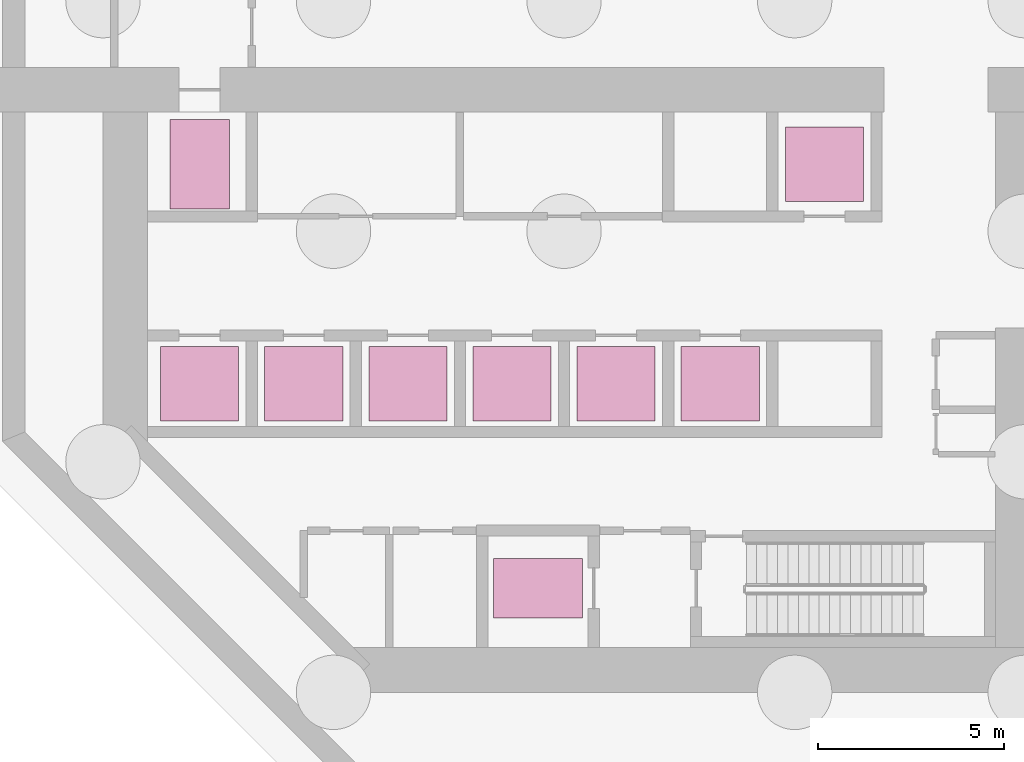
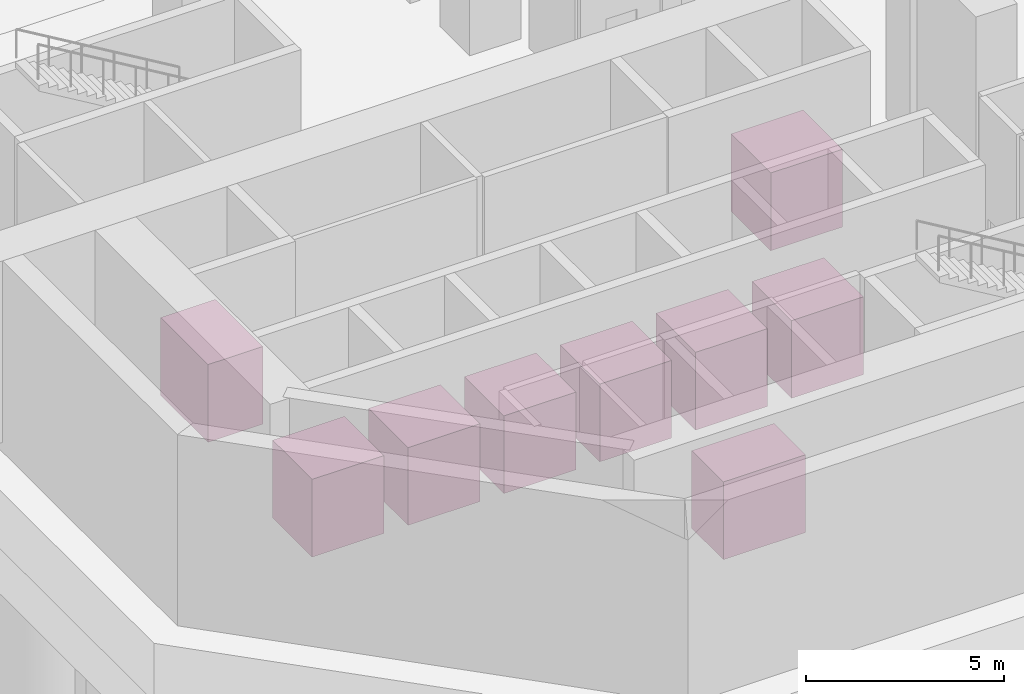
# One storey, part 6 of 6: 9 transport elements.
"""IFC4 building model written with IfcOpenShell, lengths in metres."""

from ifc_helpers import new_model, si_unit, direction, frame, origin, origin_2d, place, context, subcontext, project, spatial, rectangle, extrude, material, type_object, element, save


model = new_model("IFC4")

# Units and contexts
model_context = context("Model", 3, precision=1e-05, world=origin(), true_north=direction((0.0, 1.0)))
body_context = subcontext(model_context, "Body", "Model", "MODEL_VIEW")
ifc_project = project(units=[si_unit("LENGTHUNIT", "METRE"), si_unit("AREAUNIT", "SQUARE_METRE"), si_unit("VOLUMEUNIT", "CUBIC_METRE"), si_unit("PLANEANGLEUNIT", "RADIAN"), si_unit("MASSUNIT", "GRAM", prefix="KILO")], contexts=[model_context])

# Site, building, storey
site_placement = place(None, origin())
site = spatial("IfcSite", under=ifc_project, at=site_placement, CompositionType="ELEMENT")
building_placement = place(site_placement, origin())
building = spatial("IfcBuilding", under=site, at=building_placement, Name="Brevane Broadcast Tower", CompositionType="ELEMENT")
storey_placement = place(building_placement, frame((0.0, 0.0, -6.0)))
storey = spatial("IfcBuildingStorey", under=building, at=storey_placement, Name="B1", CompositionType="ELEMENT", Elevation=-6.0)

# Transport elements
ifc_material = material(Name="Stainless steel", Category="steel")
transport_element_type_1 = type_object("IfcTransportElementType", Name="Fire-fighting lift car", PredefinedType="ELEVATOR", material=ifc_material)
transport_element_1_placement = place(storey_placement, frame((2.60009765625, 14.199951171875, 0.0), z_axis=(0.0, 0.0, 1.0), x_axis=(1.0, 0.0, 0.0)))
element("IfcTransportElement", 1, at=transport_element_1_placement, inside=storey, type_object=transport_element_type_1, Name="Fire-fighting lift FF1", PredefinedType="ELEVATOR", context=body_context, shape_type="SweptSolid", body=[
    extrude(rectangle(XDim=1.60009765625, YDim=2.39990234375, at=origin_2d()), origin(), (0.0, 0.0, 1.0), 2.39990234375),
])
transport_element_2_placement = place(storey_placement, frame((11.699951171875, 2.800048828125, 0.0), z_axis=(0.0, 0.0, 1.0), x_axis=(1.0, 0.0, 0.0)))
element("IfcTransportElement", 2, at=transport_element_2_placement, inside=storey, type_object=transport_element_type_1, Name="Fire-fighting lift FF2", PredefinedType="ELEVATOR", context=body_context, shape_type="SweptSolid", body=[
    extrude(rectangle(XDim=2.39990234375, YDim=1.60009765625, at=origin_2d()), origin(), (0.0, 0.0, 1.0), 2.39990234375),
])
transport_element_type_2 = type_object("IfcTransportElementType", Name="Passenger lift car", PredefinedType="ELEVATOR", material=ifc_material)
for number, where, z_axis, x_axis, name in (
    (3, (2.60009765625, 8.300048828125, 0.0), (0.0, 0.0, 1.0), (1.0, 0.0, 0.0), "Low-rise bank LR1"),
    (4, (5.39990234375, 8.300048828125, 0.0), (0.0, 0.0, 1.0), (1.0, 0.0, 0.0), "Low-rise bank LR2"),
    (5, (8.199951171875, 8.300048828125, 0.0), (0.0, 0.0, 1.0), (1.0, 0.0, 0.0), "Low-rise bank LR3"),
    (6, (11.0, 8.300048828125, 0.0), (0.0, 0.0, 1.0), (1.0, 0.0, 0.0), "Low-rise bank LR4"),
    (7, (13.800048828125, 8.300048828125, 0.0), (0.0, 0.0, 1.0), (1.0, 0.0, 0.0), "Low-rise bank LR5"),
    (8, (16.60009765625, 8.300048828125, 0.0), (0.0, 0.0, 1.0), (1.0, 0.0, 0.0), "Low-rise bank LR6"),
    (9, (19.39990234375, 14.199951171875, 0.0), (0.0, 0.0, 1.0), (1.0, 0.0, 0.0), "Service lift SL1"),
):
    element("IfcTransportElement", number, at=place(storey_placement, frame(where, z_axis=z_axis, x_axis=x_axis)), inside=storey, type_object=transport_element_type_2, Name=name, PredefinedType="ELEVATOR", context=body_context, shape_type="SweptSolid", body=[
        extrude(rectangle(XDim=2.10009765625, YDim=2.0, at=origin_2d()), origin(), (0.0, 0.0, 1.0), 2.39990234375),
    ])

save(model, "model.ifc")
